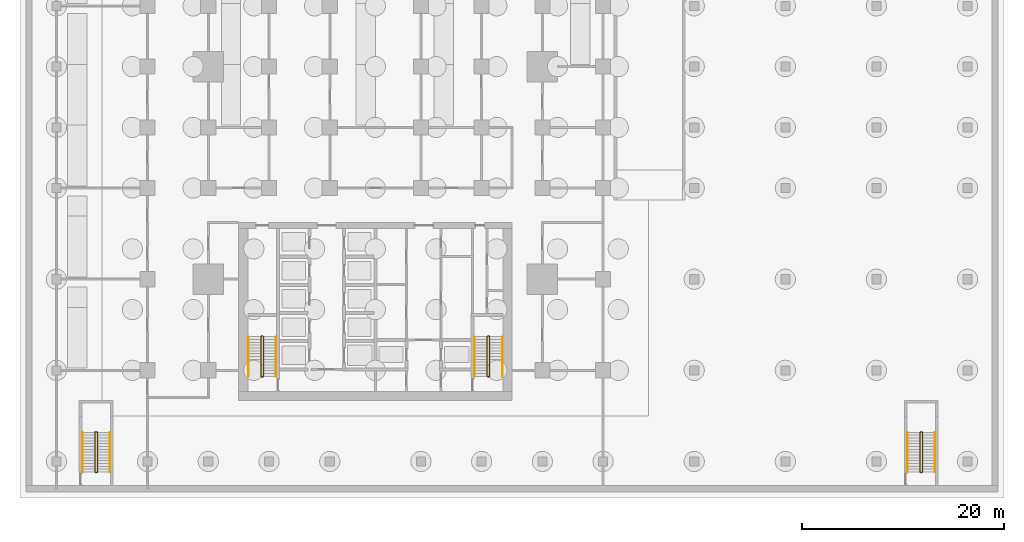
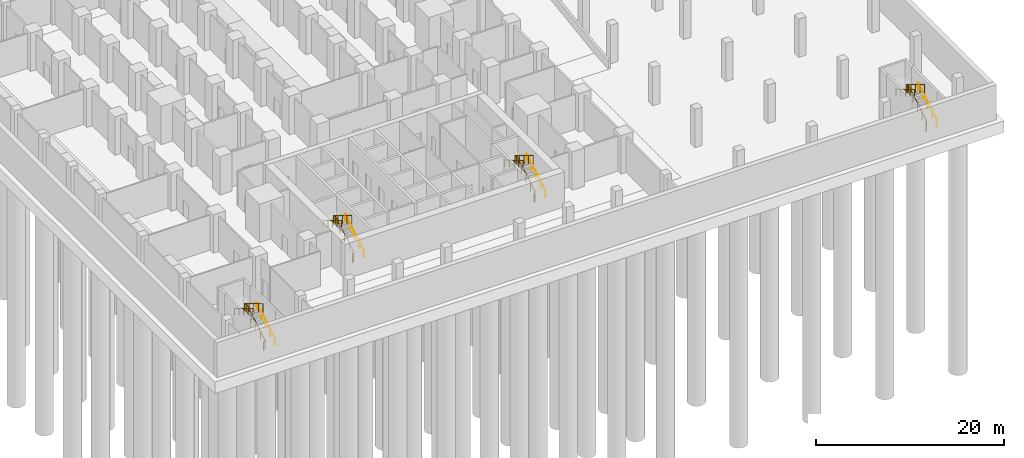
# One storey, part 11 of 12: 12 railings.
"""IFC4 building model written with IfcOpenShell, lengths in metres."""

import ifcopenshell
import ifcopenshell.guid

model = None  # the IFC model being written
_history = None  # IfcOwnerHistory: only IFC2X3 demands one
_inside = {}  # id of a spatial element -> (the spatial element, [elements in it])
_under = {}  # id of a project, library or spatial element -> (it, [spatial elements below it])
_declared = {}  # id of a project -> (the project, [libraries it declares])
_typed = {}  # id of a type object -> (the type object, [elements of that type])
_made_of = {}  # id of a material, layer set ... -> (it, [elements and type objects made of it])


def new_model(schema):
    """Start an empty IFC model of exactly this schema.

    Asked for "IFC4X3", IfcOpenShell would pick the latest addendum, in which some entities
    have other attributes; the version numbers below select the first issue.
    IFC2X3 requires an IfcOwnerHistory on every rooted entity: one is made here for all.
    """
    global model, _history
    if schema == "IFC4X3":
        model = ifcopenshell.file(schema_version=(4, 3, 0, 0))
    else:
        model = ifcopenshell.file(schema=schema)
    _inside.clear()
    _under.clear()
    _declared.clear()
    _typed.clear()
    _made_of.clear()
    _history = None
    if model.schema == "IFC2X3":
        org = make("IfcOrganization", Name="unknown")
        user = make(
            "IfcPersonAndOrganization",
            ThePerson=make("IfcPerson", FamilyName="unknown"),
            TheOrganization=org,
        )
        app = make(
            "IfcApplication",
            ApplicationDeveloper=org,
            Version="unknown",
            ApplicationFullName="unknown",
            ApplicationIdentifier="unknown",
        )
        _history = make(
            "IfcOwnerHistory",
            OwningUser=user,
            OwningApplication=app,
            ChangeAction="ADDED",
            CreationDate=0,
        )
    return model


def make(cls, **values):
    """One entity of the class cls with the attributes given. An attribute that is None is left unset."""
    return model.create_entity(
        cls, **{name: value for name, value in values.items() if value is not None}
    )


def rooted(cls, **values):
    """An entity with a GlobalId (a new one), such as an element, a storey or a relation."""
    return make(cls, GlobalId=ifcopenshell.guid.new(), OwnerHistory=_history, **values)


def si_unit(unit_type, name, prefix=None):
    """IfcSIUnit, for example si_unit("LENGTHUNIT", "METRE", prefix="MILLI")."""
    return make("IfcSIUnit", UnitType=unit_type, Prefix=prefix, Name=name)


def assignment(units):
    """IfcUnitAssignment: the units of a project."""
    return None if units is None else make("IfcUnitAssignment", Units=units)


def point(xyz):
    """IfcCartesianPoint."""
    return None if xyz is None else make("IfcCartesianPoint", Coordinates=xyz)


def direction(xyz):
    """IfcDirection."""
    return None if xyz is None else make("IfcDirection", DirectionRatios=xyz)


def frame(location, z_axis=None, x_axis=None):
    """IfcAxis2Placement3D, a coordinate frame: its origin and axes. An axis left out is left unset."""
    return make(
        "IfcAxis2Placement3D",
        Location=point(location),
        Axis=direction(z_axis),
        RefDirection=direction(x_axis),
    )


def frame_2d(location, x_axis=None):
    """IfcAxis2Placement2D, a coordinate frame in the plane: its origin and x axis."""
    return make(
        "IfcAxis2Placement2D", Location=point(location), RefDirection=direction(x_axis)
    )


def origin():
    """The frame at (0, 0, 0) with its axes left unset."""
    return frame((0.0, 0.0, 0.0))


def origin_2d():
    """The frame at (0, 0) in the plane with its x axis left unset."""
    return frame_2d((0.0, 0.0))


def place(relative_to, where):
    """IfcLocalPlacement: puts the frame where relative to a parent placement (None: the world)."""
    return make(
        "IfcLocalPlacement", PlacementRelTo=relative_to, RelativePlacement=where
    )


def context(
    kind, dimensions, precision=None, world=None, true_north=None, identifier=None
):
    """IfcGeometricRepresentationContext, for example the 3D "Model" context."""
    return make(
        "IfcGeometricRepresentationContext",
        ContextIdentifier=identifier,
        ContextType=kind,
        CoordinateSpaceDimension=dimensions,
        Precision=precision,
        WorldCoordinateSystem=world,
        TrueNorth=true_north,
    )


def subcontext(parent, identifier, kind, view, scale=None):
    """IfcGeometricRepresentationSubContext, for example "Body" below "Model"."""
    return make(
        "IfcGeometricRepresentationSubContext",
        ContextIdentifier=identifier,
        ContextType=kind,
        ParentContext=parent,
        TargetScale=scale,
        TargetView=view,
    )


def project(units=None, contexts=None):
    """IfcProject with its units and contexts."""
    return rooted(
        "IfcProject",
        Name="project",
        RepresentationContexts=contexts,
        UnitsInContext=assignment(units),
    )


def spatial(cls, under=None, at=None, **own):
    """A site, building, storey or space (cls), placed at a placement, below another one or the project."""
    s = rooted(cls, ObjectPlacement=at, **own)
    if under is not None:
        _under.setdefault(under.id(), (under, []))[1].append(s)
    return s


def profile(cls, at=None, kind="AREA", **sizes):
    """A parametric profile (cls). Its sizes go by their IFC names, for example OverallWidth=200.0."""
    return make(cls, ProfileType=kind, Position=at, **sizes)


def circle(**sizes):
    """IfcCircleProfileDef."""
    return profile("IfcCircleProfileDef", **sizes)


def extrude(swept, where, along, depth):
    """IfcExtrudedAreaSolid: the profile swept, set in the frame where, extruded along a direction by depth."""
    return make(
        "IfcExtrudedAreaSolid",
        SweptArea=swept,
        Position=where,
        ExtrudedDirection=direction(along),
        Depth=depth,
    )


def shape(context_of_items, identifier, shape_type, items):
    """IfcShapeRepresentation: the items that make up one representation, for example the "Body"."""
    return make(
        "IfcShapeRepresentation",
        ContextOfItems=context_of_items,
        RepresentationIdentifier=identifier,
        RepresentationType=shape_type,
        Items=items,
    )


def material(Name=None, Category=None):
    """IfcMaterial."""
    return make("IfcMaterial", Name=Name, Category=Category)


def made_of(thing, what):
    """Note that an element or type object is made of a material, layer set ...; save() writes the relation."""
    if what is not None:
        _made_of.setdefault(what.id(), (what, []))[1].append(thing)
    return thing


def type_object(cls, material=None, **own):
    """A type object (cls), such as IfcWallType, which elements share."""
    return made_of(rooted(cls, **own), material)


def element(
    cls,
    number,
    at=None,
    inside=None,
    cuts=None,
    type_object=None,
    material=None,
    context=None,
    identifier="Body",
    shape_type=None,
    held_by="IfcProductDefinitionShape",
    body=None,
    shapes=None,
    **own,
):
    """One element of the class cls, such as IfcWall. Its Tag is "e" and its number.

    at: its placement. inside: the storey or other place that contains it. cuts: it is an
    opening in that element (IfcRelVoidsElement). A single representation is given by context,
    identifier, shape_type and body (its items); several are given by shapes. held_by: the class
    of the entity that holds the representations. save() writes the other relations.
    """
    e = rooted(cls, Tag="e%d" % number, ObjectPlacement=at, **own)
    if body is not None:
        shapes = [shape(context, identifier, shape_type, body)]
    if shapes is not None:
        e.Representation = make(held_by, Representations=shapes)
    if inside is not None:
        _inside.setdefault(inside.id(), (inside, []))[1].append(e)
    if cuts is not None:
        rooted(
            "IfcRelVoidsElement", RelatingBuildingElement=cuts, RelatedOpeningElement=e
        )
    if type_object is not None:
        _typed.setdefault(type_object.id(), (type_object, []))[1].append(e)
    return made_of(e, material)


def aggregate(whole, parts):
    """IfcRelAggregates: a whole, such as a stair, and the parts it consists of."""
    return rooted("IfcRelAggregates", RelatingObject=whole, RelatedObjects=parts)


def save(model, path):
    """Write the relations noted so far, then the file.

    IfcRelAggregates (storeys below a building ...), IfcRelContainedInSpatialStructure (elements
    in a storey), IfcRelDefinesByType, IfcRelAssociatesMaterial and IfcRelDeclares: one each for
    every whole, place, type object, material and project.
    """
    for whole, parts in _under.values():
        aggregate(whole, parts)
    for where, things in _inside.values():
        rooted(
            "IfcRelContainedInSpatialStructure",
            RelatedElements=things,
            RelatingStructure=where,
        )
    for kind, things in _typed.values():
        rooted("IfcRelDefinesByType", RelatedObjects=things, RelatingType=kind)
    for what, things in _made_of.values():
        rooted("IfcRelAssociatesMaterial", RelatedObjects=things, RelatingMaterial=what)
    for by, libraries in _declared.values():
        rooted("IfcRelDeclares", RelatingContext=by, RelatedDefinitions=libraries)
    model.write(path)


model = new_model("IFC4")

# Units and contexts
model_context = context("Model", 3, precision=1e-05, world=origin(), true_north=direction((0.0, 1.0)))
body_context = subcontext(model_context, "Body", "Model", "MODEL_VIEW")
ifc_project = project(units=[si_unit("LENGTHUNIT", "METRE"), si_unit("AREAUNIT", "SQUARE_METRE"), si_unit("VOLUMEUNIT", "CUBIC_METRE"), si_unit("PLANEANGLEUNIT", "RADIAN"), si_unit("MASSUNIT", "GRAM", prefix="KILO")], contexts=[model_context])

# Site, building, storey
site_placement = place(None, origin())
site = spatial("IfcSite", under=ifc_project, at=site_placement, CompositionType="ELEMENT")
building_placement = place(site_placement, origin())
building = spatial("IfcBuilding", under=site, at=building_placement, Name="Finial Court Residences", CompositionType="ELEMENT")
storey_placement = place(building_placement, frame((0.0, 0.0, -5.0)))
storey = spatial("IfcBuildingStorey", under=building, at=storey_placement, Name="B1", CompositionType="ELEMENT", Elevation=-5.0)

# Railings
ifc_material = material(Name="Stainless steel railing", Category="steel")
railing_type_1 = type_object("IfcRailingType", Name="Stair guard 1100", PredefinedType="GUARDRAIL", material=ifc_material)
railing_1_placement = place(storey_placement, frame((-11.10009765625, -23.14990234375, 0.0)))
element("IfcRailing", 1, at=railing_1_placement, inside=storey, type_object=railing_type_1, Name="B1 ST-1 stair guard 1", PredefinedType="GUARDRAIL", context=body_context, shape_type="SweptSolid", body=[
    extrude(circle(Radius=0.02392578125, at=origin_2d()), frame((0.0, 0.0, 1.076171875), z_axis=(-1.0, 0.0, 0.0), x_axis=(0.0, -1.0, 0.0)), (0.0, 0.0, 1.0), 0.14990234375),
    extrude(circle(Radius=0.02392578125, at=origin_2d()), frame((-0.14990234375, 0.0, 1.076171875), z_axis=(0.754313153044, 0.1878875253, 0.629054802844), x_axis=(-0.241699205484, 0.970351222016, 0.0)), (0.0, 0.0, 1.0), 0.26513671875),
    extrude(circle(Radius=0.02392578125, at=origin_2d()), frame((0.050048828125, 0.0498046875, 1.24267578125), z_axis=(0.0, 0.859310244771, 0.511454693235), x_axis=(-1.0, 0.0, 0.0)), (0.0, 0.0, 1.0), 4.56201171875),
    extrude(circle(Radius=0.02392578125, at=origin_2d()), frame((0.050048828125, 3.969970703125, 3.576171875), z_axis=(-0.707106781187, 0.707106781187, 0.0), x_axis=(-0.707106781187, -0.707106781187, 0.0)), (0.0, 0.0, 1.0), 0.07080078125),
    extrude(circle(Radius=0.02392578125, at=origin_2d()), frame((0.0, 4.02001953125, 3.576171875), z_axis=(-1.0, 0.0, 0.0), x_axis=(0.0, -1.0, 0.0)), (0.0, 0.0, 1.0), 0.14990234375),
    extrude(circle(Radius=0.02392578125, at=origin_2d()), frame((-0.14990234375, 4.02001953125, 3.576171875), z_axis=(-0.27628659633, -0.27628659633, 0.920506074601), x_axis=(0.707106781187, -0.707106781187, 0.0)), (0.0, 0.0, 1.0), 0.18115234375),
    extrude(circle(Radius=0.02392578125, at=origin_2d()), frame((-0.199951171875, 3.969970703125, 3.74267578125), z_axis=(0.0, -0.859310244771, 0.511454693235), x_axis=(1.0, 0.0, 0.0)), (0.0, 0.0, 1.0), 4.56201171875),
    extrude(circle(Radius=0.02099609375, at=origin_2d()), origin(), (0.0, 0.0, 1.0), 1.052001953125),
    extrude(circle(Radius=0.02099609375, at=origin_2d()), frame((-0.14990234375, 0.0, 0.0)), (0.0, 0.0, 1.0), 1.052001953125),
    extrude(circle(Radius=0.02099609375, at=origin_2d()), frame((0.050048828125, 0.0498046875, 0.166748046875)), (0.0, 0.0, 1.0), 1.052001953125),
    extrude(circle(Radius=0.02099609375, at=origin_2d()), frame((0.050048828125, 1.02978515625, 0.75)), (0.0, 0.0, 1.0), 1.052001953125),
    extrude(circle(Radius=0.02099609375, at=origin_2d()), frame((0.050048828125, 2.009765625, 1.33349609375)), (0.0, 0.0, 1.0), 1.052001953125),
    extrude(circle(Radius=0.02099609375, at=origin_2d()), frame((0.050048828125, 2.989990234375, 1.916748046875)), (0.0, 0.0, 1.0), 1.052001953125),
    extrude(circle(Radius=0.02099609375, at=origin_2d()), frame((0.050048828125, 3.969970703125, 2.5)), (0.0, 0.0, 1.0), 1.052001953125),
    extrude(circle(Radius=0.02099609375, at=origin_2d()), frame((0.0, 4.02001953125, 2.5)), (0.0, 0.0, 1.0), 1.052001953125),
    extrude(circle(Radius=0.02099609375, at=origin_2d()), frame((-0.14990234375, 4.02001953125, 2.5)), (0.0, 0.0, 1.0), 1.052001953125),
    extrude(circle(Radius=0.02099609375, at=origin_2d()), frame((-0.199951171875, 3.969970703125, 2.666748046875)), (0.0, 0.0, 1.0), 1.052001953125),
    extrude(circle(Radius=0.02099609375, at=origin_2d()), frame((-0.199951171875, 2.989990234375, 3.25)), (0.0, 0.0, 1.0), 1.052001953125),
    extrude(circle(Radius=0.02099609375, at=origin_2d()), frame((-0.199951171875, 2.009765625, 3.83349609375)), (0.0, 0.0, 1.0), 1.052001953125),
    extrude(circle(Radius=0.02099609375, at=origin_2d()), frame((-0.199951171875, 1.02978515625, 4.416748046875)), (0.0, 0.0, 1.0), 1.052001953125),
    extrude(circle(Radius=0.02099609375, at=origin_2d()), frame((-0.199951171875, 0.0498046875, 5.0)), (0.0, 0.0, 1.0), 1.052001953125),
])
railing_2_placement = place(storey_placement, frame((11.25, -23.14990234375, 0.0)))
element("IfcRailing", 2, at=railing_2_placement, inside=storey, type_object=railing_type_1, Name="B1 ST-2 stair guard 1", PredefinedType="GUARDRAIL", context=body_context, shape_type="SweptSolid", body=[
    extrude(circle(Radius=0.02392578125, at=origin_2d()), frame((0.0, 0.0, 1.076171875), z_axis=(-1.0, 0.0, 0.0), x_axis=(0.0, -1.0, 0.0)), (0.0, 0.0, 1.0), 0.14990234375),
    extrude(circle(Radius=0.02392578125, at=origin_2d()), frame((-0.14990234375, 0.0, 1.076171875), z_axis=(0.754313153044, 0.1878875253, 0.629054802844), x_axis=(-0.241699205484, 0.970351222016, 0.0)), (0.0, 0.0, 1.0), 0.26513671875),
    extrude(circle(Radius=0.02392578125, at=origin_2d()), frame((0.050048828125, 0.0498046875, 1.24267578125), z_axis=(0.0, 0.859310244771, 0.511454693235), x_axis=(-1.0, 0.0, 0.0)), (0.0, 0.0, 1.0), 4.56201171875),
    extrude(circle(Radius=0.02392578125, at=origin_2d()), frame((0.050048828125, 3.969970703125, 3.576171875), z_axis=(-0.707106781187, 0.707106781187, 0.0), x_axis=(-0.707106781187, -0.707106781187, 0.0)), (0.0, 0.0, 1.0), 0.07080078125),
    extrude(circle(Radius=0.02392578125, at=origin_2d()), frame((0.0, 4.02001953125, 3.576171875), z_axis=(-1.0, 0.0, 0.0), x_axis=(0.0, -1.0, 0.0)), (0.0, 0.0, 1.0), 0.14990234375),
    extrude(circle(Radius=0.02392578125, at=origin_2d()), frame((-0.14990234375, 4.02001953125, 3.576171875), z_axis=(-0.27628659633, -0.27628659633, 0.920506074601), x_axis=(0.707106781187, -0.707106781187, 0.0)), (0.0, 0.0, 1.0), 0.18115234375),
    extrude(circle(Radius=0.02392578125, at=origin_2d()), frame((-0.199951171875, 3.969970703125, 3.74267578125), z_axis=(0.0, -0.859310244771, 0.511454693235), x_axis=(1.0, 0.0, 0.0)), (0.0, 0.0, 1.0), 4.56201171875),
    extrude(circle(Radius=0.02099609375, at=origin_2d()), origin(), (0.0, 0.0, 1.0), 1.052001953125),
    extrude(circle(Radius=0.02099609375, at=origin_2d()), frame((-0.14990234375, 0.0, 0.0)), (0.0, 0.0, 1.0), 1.052001953125),
    extrude(circle(Radius=0.02099609375, at=origin_2d()), frame((0.050048828125, 0.0498046875, 0.166748046875)), (0.0, 0.0, 1.0), 1.052001953125),
    extrude(circle(Radius=0.02099609375, at=origin_2d()), frame((0.050048828125, 1.02978515625, 0.75)), (0.0, 0.0, 1.0), 1.052001953125),
    extrude(circle(Radius=0.02099609375, at=origin_2d()), frame((0.050048828125, 2.009765625, 1.33349609375)), (0.0, 0.0, 1.0), 1.052001953125),
    extrude(circle(Radius=0.02099609375, at=origin_2d()), frame((0.050048828125, 2.989990234375, 1.916748046875)), (0.0, 0.0, 1.0), 1.052001953125),
    extrude(circle(Radius=0.02099609375, at=origin_2d()), frame((0.050048828125, 3.969970703125, 2.5)), (0.0, 0.0, 1.0), 1.052001953125),
    extrude(circle(Radius=0.02099609375, at=origin_2d()), frame((0.0, 4.02001953125, 2.5)), (0.0, 0.0, 1.0), 1.052001953125),
    extrude(circle(Radius=0.02099609375, at=origin_2d()), frame((-0.14990234375, 4.02001953125, 2.5)), (0.0, 0.0, 1.0), 1.052001953125),
    extrude(circle(Radius=0.02099609375, at=origin_2d()), frame((-0.199951171875, 3.969970703125, 2.666748046875)), (0.0, 0.0, 1.0), 1.052001953125),
    extrude(circle(Radius=0.02099609375, at=origin_2d()), frame((-0.199951171875, 2.989990234375, 3.25)), (0.0, 0.0, 1.0), 1.052001953125),
    extrude(circle(Radius=0.02099609375, at=origin_2d()), frame((-0.199951171875, 2.009765625, 3.83349609375)), (0.0, 0.0, 1.0), 1.052001953125),
    extrude(circle(Radius=0.02099609375, at=origin_2d()), frame((-0.199951171875, 1.02978515625, 4.416748046875)), (0.0, 0.0, 1.0), 1.052001953125),
    extrude(circle(Radius=0.02099609375, at=origin_2d()), frame((-0.199951171875, 0.0498046875, 5.0)), (0.0, 0.0, 1.0), 1.052001953125),
])
railing_3_placement = place(storey_placement, frame((54.0, -32.60009765625, 0.0)))
element("IfcRailing", 3, at=railing_3_placement, inside=storey, type_object=railing_type_1, Name="B1 ST-3 stair guard 1", PredefinedType="GUARDRAIL", context=body_context, shape_type="SweptSolid", body=[
    extrude(circle(Radius=0.02392578125, at=origin_2d()), frame((0.0, 0.0, 1.076171875), z_axis=(-1.0, 0.0, 0.0), x_axis=(0.0, -1.0, 0.0)), (0.0, 0.0, 1.0), 0.14990234375),
    extrude(circle(Radius=0.02392578125, at=origin_2d()), frame((-0.14990234375, 0.0, 1.076171875), z_axis=(0.754182335027, 0.188775798145, 0.628945707965), x_axis=(-0.242814311512, 0.970072785993, 0.0)), (0.0, 0.0, 1.0), 0.26513671875),
    extrude(circle(Radius=0.02392578125, at=origin_2d()), frame((0.050048828125, 0.050048828125, 1.24267578125), z_axis=(0.0, 0.859310244771, 0.511454693235), x_axis=(-1.0, 0.0, 0.0)), (0.0, 0.0, 1.0), 4.56201171875),
    extrude(circle(Radius=0.02392578125, at=origin_2d()), frame((0.050048828125, 3.97021484375, 3.576171875), z_axis=(-0.708833529934, 0.705375805398, 0.0), x_axis=(-0.705375805398, -0.708833529934, 0.0)), (0.0, 0.0, 1.0), 0.070556640625),
    extrude(circle(Radius=0.02392578125, at=origin_2d()), frame((0.0, 4.02001953125, 3.576171875), z_axis=(-1.0, 0.0, 0.0), x_axis=(0.0, -1.0, 0.0)), (0.0, 0.0, 1.0), 0.14990234375),
    extrude(circle(Radius=0.02392578125, at=origin_2d()), frame((-0.14990234375, 4.02001953125, 3.576171875), z_axis=(-0.276389281352, -0.275041040955, 0.920848191041), x_axis=(0.705375805398, -0.708833529934, 0.0)), (0.0, 0.0, 1.0), 0.18115234375),
    extrude(circle(Radius=0.02392578125, at=origin_2d()), frame((-0.199951171875, 3.97021484375, 3.74267578125), z_axis=(0.0, -0.859310244771, 0.511454693235), x_axis=(1.0, 0.0, 0.0)), (0.0, 0.0, 1.0), 4.56201171875),
    extrude(circle(Radius=0.02099609375, at=origin_2d()), origin(), (0.0, 0.0, 1.0), 1.052001953125),
    extrude(circle(Radius=0.02099609375, at=origin_2d()), frame((-0.14990234375, 0.0, 0.0)), (0.0, 0.0, 1.0), 1.052001953125),
    extrude(circle(Radius=0.02099609375, at=origin_2d()), frame((0.050048828125, 0.050048828125, 0.166748046875)), (0.0, 0.0, 1.0), 1.052001953125),
    extrude(circle(Radius=0.02099609375, at=origin_2d()), frame((0.050048828125, 1.030029296875, 0.75)), (0.0, 0.0, 1.0), 1.052001953125),
    extrude(circle(Radius=0.02099609375, at=origin_2d()), frame((0.050048828125, 2.01025390625, 1.33349609375)), (0.0, 0.0, 1.0), 1.052001953125),
    extrude(circle(Radius=0.02099609375, at=origin_2d()), frame((0.050048828125, 2.990234375, 1.916748046875)), (0.0, 0.0, 1.0), 1.052001953125),
    extrude(circle(Radius=0.02099609375, at=origin_2d()), frame((0.050048828125, 3.97021484375, 2.5)), (0.0, 0.0, 1.0), 1.052001953125),
    extrude(circle(Radius=0.02099609375, at=origin_2d()), frame((0.0, 4.02001953125, 2.5)), (0.0, 0.0, 1.0), 1.052001953125),
    extrude(circle(Radius=0.02099609375, at=origin_2d()), frame((-0.14990234375, 4.02001953125, 2.5)), (0.0, 0.0, 1.0), 1.052001953125),
    extrude(circle(Radius=0.02099609375, at=origin_2d()), frame((-0.199951171875, 3.97021484375, 2.666748046875)), (0.0, 0.0, 1.0), 1.052001953125),
    extrude(circle(Radius=0.02099609375, at=origin_2d()), frame((-0.199951171875, 2.990234375, 3.25)), (0.0, 0.0, 1.0), 1.052001953125),
    extrude(circle(Radius=0.02099609375, at=origin_2d()), frame((-0.199951171875, 2.01025390625, 3.83349609375)), (0.0, 0.0, 1.0), 1.052001953125),
    extrude(circle(Radius=0.02099609375, at=origin_2d()), frame((-0.199951171875, 1.030029296875, 4.416748046875)), (0.0, 0.0, 1.0), 1.052001953125),
    extrude(circle(Radius=0.02099609375, at=origin_2d()), frame((-0.199951171875, 0.050048828125, 5.0)), (0.0, 0.0, 1.0), 1.052001953125),
])
railing_4_placement = place(storey_placement, frame((-27.5, -32.60009765625, 0.0)))
element("IfcRailing", 4, at=railing_4_placement, inside=storey, type_object=railing_type_1, Name="B1 ST-4 stair guard 1", PredefinedType="GUARDRAIL", context=body_context, shape_type="SweptSolid", body=[
    extrude(circle(Radius=0.02392578125, at=origin_2d()), frame((0.0, 0.0, 1.076171875), z_axis=(-1.0, 0.0, 0.0), x_axis=(0.0, -1.0, 0.0)), (0.0, 0.0, 1.0), 0.14990234375),
    extrude(circle(Radius=0.02392578125, at=origin_2d()), frame((-0.14990234375, 0.0, 1.076171875), z_axis=(0.754182335027, 0.188775798145, 0.628945707965), x_axis=(-0.242814311512, 0.970072785993, 0.0)), (0.0, 0.0, 1.0), 0.26513671875),
    extrude(circle(Radius=0.02392578125, at=origin_2d()), frame((0.050048828125, 0.050048828125, 1.24267578125), z_axis=(0.0, 0.859310244771, 0.511454693235), x_axis=(-1.0, 0.0, 0.0)), (0.0, 0.0, 1.0), 4.56201171875),
    extrude(circle(Radius=0.02392578125, at=origin_2d()), frame((0.050048828125, 3.97021484375, 3.576171875), z_axis=(-0.708833529934, 0.705375805398, 0.0), x_axis=(-0.705375805398, -0.708833529934, 0.0)), (0.0, 0.0, 1.0), 0.070556640625),
    extrude(circle(Radius=0.02392578125, at=origin_2d()), frame((0.0, 4.02001953125, 3.576171875), z_axis=(-1.0, 0.0, 0.0), x_axis=(0.0, -1.0, 0.0)), (0.0, 0.0, 1.0), 0.14990234375),
    extrude(circle(Radius=0.02392578125, at=origin_2d()), frame((-0.14990234375, 4.02001953125, 3.576171875), z_axis=(-0.276389281352, -0.275041040955, 0.920848191041), x_axis=(0.705375805398, -0.708833529934, 0.0)), (0.0, 0.0, 1.0), 0.18115234375),
    extrude(circle(Radius=0.02392578125, at=origin_2d()), frame((-0.199951171875, 3.97021484375, 3.74267578125), z_axis=(0.0, -0.859310244771, 0.511454693235), x_axis=(1.0, 0.0, 0.0)), (0.0, 0.0, 1.0), 4.56201171875),
    extrude(circle(Radius=0.02099609375, at=origin_2d()), origin(), (0.0, 0.0, 1.0), 1.052001953125),
    extrude(circle(Radius=0.02099609375, at=origin_2d()), frame((-0.14990234375, 0.0, 0.0)), (0.0, 0.0, 1.0), 1.052001953125),
    extrude(circle(Radius=0.02099609375, at=origin_2d()), frame((0.050048828125, 0.050048828125, 0.166748046875)), (0.0, 0.0, 1.0), 1.052001953125),
    extrude(circle(Radius=0.02099609375, at=origin_2d()), frame((0.050048828125, 1.030029296875, 0.75)), (0.0, 0.0, 1.0), 1.052001953125),
    extrude(circle(Radius=0.02099609375, at=origin_2d()), frame((0.050048828125, 2.01025390625, 1.33349609375)), (0.0, 0.0, 1.0), 1.052001953125),
    extrude(circle(Radius=0.02099609375, at=origin_2d()), frame((0.050048828125, 2.990234375, 1.916748046875)), (0.0, 0.0, 1.0), 1.052001953125),
    extrude(circle(Radius=0.02099609375, at=origin_2d()), frame((0.050048828125, 3.97021484375, 2.5)), (0.0, 0.0, 1.0), 1.052001953125),
    extrude(circle(Radius=0.02099609375, at=origin_2d()), frame((0.0, 4.02001953125, 2.5)), (0.0, 0.0, 1.0), 1.052001953125),
    extrude(circle(Radius=0.02099609375, at=origin_2d()), frame((-0.14990234375, 4.02001953125, 2.5)), (0.0, 0.0, 1.0), 1.052001953125),
    extrude(circle(Radius=0.02099609375, at=origin_2d()), frame((-0.199951171875, 3.97021484375, 2.666748046875)), (0.0, 0.0, 1.0), 1.052001953125),
    extrude(circle(Radius=0.02099609375, at=origin_2d()), frame((-0.199951171875, 2.990234375, 3.25)), (0.0, 0.0, 1.0), 1.052001953125),
    extrude(circle(Radius=0.02099609375, at=origin_2d()), frame((-0.199951171875, 2.01025390625, 3.83349609375)), (0.0, 0.0, 1.0), 1.052001953125),
    extrude(circle(Radius=0.02099609375, at=origin_2d()), frame((-0.199951171875, 1.030029296875, 4.416748046875)), (0.0, 0.0, 1.0), 1.052001953125),
    extrude(circle(Radius=0.02099609375, at=origin_2d()), frame((-0.199951171875, 0.050048828125, 5.0)), (0.0, 0.0, 1.0), 1.052001953125),
])
railing_type_2 = type_object("IfcRailingType", Name="Stair handrail 900", PredefinedType="HANDRAIL", material=ifc_material)
railing_5_placement = place(storey_placement, frame((-9.800048828125, -23.10009765625, 0.166748046875)))
element("IfcRailing", 5, at=railing_5_placement, inside=storey, type_object=railing_type_2, Name="B1 ST-1 stair handrail 1", PredefinedType="HANDRAIL", context=body_context, shape_type="SweptSolid", body=[
    extrude(circle(Radius=0.02392578125, at=origin_2d()), frame((0.0, 0.0, 0.8759765625), z_axis=(0.0, 0.859310244771, 0.511454693235), x_axis=(-1.0, 0.0, 0.0)), (0.0, 0.0, 1.0), 4.56201171875),
    extrude(circle(Radius=0.02099609375, at=origin_2d()), origin(), (0.0, 0.0, 1.0), 0.851806640625),
    extrude(circle(Radius=0.02099609375, at=origin_2d()), frame((0.0, 0.97998046875, 0.583251953125)), (0.0, 0.0, 1.0), 0.851806640625),
    extrude(circle(Radius=0.02099609375, at=origin_2d()), frame((0.0, 1.9599609375, 1.16650390625)), (0.0, 0.0, 1.0), 0.851806640625),
    extrude(circle(Radius=0.02099609375, at=origin_2d()), frame((0.0, 2.940185546875, 1.75)), (0.0, 0.0, 1.0), 0.851806640625),
    extrude(circle(Radius=0.02099609375, at=origin_2d()), frame((0.0, 3.920166015625, 2.333251953125)), (0.0, 0.0, 1.0), 0.851806640625),
])
railing_6_placement = place(storey_placement, frame((-12.550048828125, -19.179931640625, 2.666748046875)))
element("IfcRailing", 6, at=railing_6_placement, inside=storey, type_object=railing_type_2, Name="B1 ST-1 stair handrail 2", PredefinedType="HANDRAIL", context=body_context, shape_type="SweptSolid", body=[
    extrude(circle(Radius=0.02392578125, at=origin_2d()), frame((0.0, 0.0, 0.8759765625), z_axis=(0.0, -0.859310244771, 0.511454693235), x_axis=(1.0, 0.0, 0.0)), (0.0, 0.0, 1.0), 4.56201171875),
    extrude(circle(Radius=0.02099609375, at=origin_2d()), origin(), (0.0, 0.0, 1.0), 0.851806640625),
    extrude(circle(Radius=0.02099609375, at=origin_2d()), frame((0.0, -0.97998046875, 0.583251953125)), (0.0, 0.0, 1.0), 0.851806640625),
    extrude(circle(Radius=0.02099609375, at=origin_2d()), frame((0.0, -1.9599609375, 1.16650390625)), (0.0, 0.0, 1.0), 0.851806640625),
    extrude(circle(Radius=0.02099609375, at=origin_2d()), frame((0.0, -2.940185546875, 1.75)), (0.0, 0.0, 1.0), 0.851806640625),
    extrude(circle(Radius=0.02099609375, at=origin_2d()), frame((0.0, -3.920166015625, 2.333251953125)), (0.0, 0.0, 1.0), 0.851806640625),
])
railing_7_placement = place(storey_placement, frame((12.550048828125, -23.10009765625, 0.166748046875)))
element("IfcRailing", 7, at=railing_7_placement, inside=storey, type_object=railing_type_2, Name="B1 ST-2 stair handrail 1", PredefinedType="HANDRAIL", context=body_context, shape_type="SweptSolid", body=[
    extrude(circle(Radius=0.02392578125, at=origin_2d()), frame((0.0, 0.0, 0.8759765625), z_axis=(0.0, 0.859310244771, 0.511454693235), x_axis=(-1.0, 0.0, 0.0)), (0.0, 0.0, 1.0), 4.56201171875),
    extrude(circle(Radius=0.02099609375, at=origin_2d()), origin(), (0.0, 0.0, 1.0), 0.851806640625),
    extrude(circle(Radius=0.02099609375, at=origin_2d()), frame((0.0, 0.97998046875, 0.583251953125)), (0.0, 0.0, 1.0), 0.851806640625),
    extrude(circle(Radius=0.02099609375, at=origin_2d()), frame((0.0, 1.9599609375, 1.16650390625)), (0.0, 0.0, 1.0), 0.851806640625),
    extrude(circle(Radius=0.02099609375, at=origin_2d()), frame((0.0, 2.940185546875, 1.75)), (0.0, 0.0, 1.0), 0.851806640625),
    extrude(circle(Radius=0.02099609375, at=origin_2d()), frame((0.0, 3.920166015625, 2.333251953125)), (0.0, 0.0, 1.0), 0.851806640625),
])
railing_8_placement = place(storey_placement, frame((9.800048828125, -19.179931640625, 2.666748046875)))
element("IfcRailing", 8, at=railing_8_placement, inside=storey, type_object=railing_type_2, Name="B1 ST-2 stair handrail 2", PredefinedType="HANDRAIL", context=body_context, shape_type="SweptSolid", body=[
    extrude(circle(Radius=0.02392578125, at=origin_2d()), frame((0.0, 0.0, 0.8759765625), z_axis=(0.0, -0.859310244771, 0.511454693235), x_axis=(1.0, 0.0, 0.0)), (0.0, 0.0, 1.0), 4.56201171875),
    extrude(circle(Radius=0.02099609375, at=origin_2d()), origin(), (0.0, 0.0, 1.0), 0.851806640625),
    extrude(circle(Radius=0.02099609375, at=origin_2d()), frame((0.0, -0.97998046875, 0.583251953125)), (0.0, 0.0, 1.0), 0.851806640625),
    extrude(circle(Radius=0.02099609375, at=origin_2d()), frame((0.0, -1.9599609375, 1.16650390625)), (0.0, 0.0, 1.0), 0.851806640625),
    extrude(circle(Radius=0.02099609375, at=origin_2d()), frame((0.0, -2.940185546875, 1.75)), (0.0, 0.0, 1.0), 0.851806640625),
    extrude(circle(Radius=0.02099609375, at=origin_2d()), frame((0.0, -3.920166015625, 2.333251953125)), (0.0, 0.0, 1.0), 0.851806640625),
])
railing_9_placement = place(storey_placement, frame((55.300048828125, -32.550048828125, 0.166748046875)))
element("IfcRailing", 9, at=railing_9_placement, inside=storey, type_object=railing_type_2, Name="B1 ST-3 stair handrail 1", PredefinedType="HANDRAIL", context=body_context, shape_type="SweptSolid", body=[
    extrude(circle(Radius=0.02392578125, at=origin_2d()), frame((0.0, 0.0, 0.8759765625), z_axis=(0.0, 0.859310244771, 0.511454693235), x_axis=(-1.0, 0.0, 0.0)), (0.0, 0.0, 1.0), 4.56201171875),
    extrude(circle(Radius=0.02099609375, at=origin_2d()), origin(), (0.0, 0.0, 1.0), 0.851806640625),
    extrude(circle(Radius=0.02099609375, at=origin_2d()), frame((0.0, 0.97998046875, 0.583251953125)), (0.0, 0.0, 1.0), 0.851806640625),
    extrude(circle(Radius=0.02099609375, at=origin_2d()), frame((0.0, 1.9599609375, 1.16650390625)), (0.0, 0.0, 1.0), 0.851806640625),
    extrude(circle(Radius=0.02099609375, at=origin_2d()), frame((0.0, 2.940185546875, 1.75)), (0.0, 0.0, 1.0), 0.851806640625),
    extrude(circle(Radius=0.02099609375, at=origin_2d()), frame((0.0, 3.920166015625, 2.333251953125)), (0.0, 0.0, 1.0), 0.851806640625),
])
railing_10_placement = place(storey_placement, frame((52.550048828125, -28.6298828125, 2.666748046875)))
element("IfcRailing", 10, at=railing_10_placement, inside=storey, type_object=railing_type_2, Name="B1 ST-3 stair handrail 2", PredefinedType="HANDRAIL", context=body_context, shape_type="SweptSolid", body=[
    extrude(circle(Radius=0.02392578125, at=origin_2d()), frame((0.0, 0.0, 0.8759765625), z_axis=(0.0, -0.859310244771, 0.511454693235), x_axis=(1.0, 0.0, 0.0)), (0.0, 0.0, 1.0), 4.56201171875),
    extrude(circle(Radius=0.02099609375, at=origin_2d()), origin(), (0.0, 0.0, 1.0), 0.851806640625),
    extrude(circle(Radius=0.02099609375, at=origin_2d()), frame((0.0, -0.97998046875, 0.583251953125)), (0.0, 0.0, 1.0), 0.851806640625),
    extrude(circle(Radius=0.02099609375, at=origin_2d()), frame((0.0, -1.9599609375, 1.16650390625)), (0.0, 0.0, 1.0), 0.851806640625),
    extrude(circle(Radius=0.02099609375, at=origin_2d()), frame((0.0, -2.940185546875, 1.75)), (0.0, 0.0, 1.0), 0.851806640625),
    extrude(circle(Radius=0.02099609375, at=origin_2d()), frame((0.0, -3.920166015625, 2.333251953125)), (0.0, 0.0, 1.0), 0.851806640625),
])
railing_11_placement = place(storey_placement, frame((-26.199951171875, -32.550048828125, 0.166748046875)))
element("IfcRailing", 11, at=railing_11_placement, inside=storey, type_object=railing_type_2, Name="B1 ST-4 stair handrail 1", PredefinedType="HANDRAIL", context=body_context, shape_type="SweptSolid", body=[
    extrude(circle(Radius=0.02392578125, at=origin_2d()), frame((0.0, 0.0, 0.8759765625), z_axis=(0.0, 0.859310244771, 0.511454693235), x_axis=(-1.0, 0.0, 0.0)), (0.0, 0.0, 1.0), 4.56201171875),
    extrude(circle(Radius=0.02099609375, at=origin_2d()), origin(), (0.0, 0.0, 1.0), 0.851806640625),
    extrude(circle(Radius=0.02099609375, at=origin_2d()), frame((0.0, 0.97998046875, 0.583251953125)), (0.0, 0.0, 1.0), 0.851806640625),
    extrude(circle(Radius=0.02099609375, at=origin_2d()), frame((0.0, 1.9599609375, 1.16650390625)), (0.0, 0.0, 1.0), 0.851806640625),
    extrude(circle(Radius=0.02099609375, at=origin_2d()), frame((0.0, 2.940185546875, 1.75)), (0.0, 0.0, 1.0), 0.851806640625),
    extrude(circle(Radius=0.02099609375, at=origin_2d()), frame((0.0, 3.920166015625, 2.333251953125)), (0.0, 0.0, 1.0), 0.851806640625),
])
railing_12_placement = place(storey_placement, frame((-28.949951171875, -28.6298828125, 2.666748046875)))
element("IfcRailing", 12, at=railing_12_placement, inside=storey, type_object=railing_type_2, Name="B1 ST-4 stair handrail 2", PredefinedType="HANDRAIL", context=body_context, shape_type="SweptSolid", body=[
    extrude(circle(Radius=0.02392578125, at=origin_2d()), frame((0.0, 0.0, 0.8759765625), z_axis=(0.0, -0.859310244771, 0.511454693235), x_axis=(1.0, 0.0, 0.0)), (0.0, 0.0, 1.0), 4.56201171875),
    extrude(circle(Radius=0.02099609375, at=origin_2d()), origin(), (0.0, 0.0, 1.0), 0.851806640625),
    extrude(circle(Radius=0.02099609375, at=origin_2d()), frame((0.0, -0.97998046875, 0.583251953125)), (0.0, 0.0, 1.0), 0.851806640625),
    extrude(circle(Radius=0.02099609375, at=origin_2d()), frame((0.0, -1.9599609375, 1.16650390625)), (0.0, 0.0, 1.0), 0.851806640625),
    extrude(circle(Radius=0.02099609375, at=origin_2d()), frame((0.0, -2.940185546875, 1.75)), (0.0, 0.0, 1.0), 0.851806640625),
    extrude(circle(Radius=0.02099609375, at=origin_2d()), frame((0.0, -3.920166015625, 2.333251953125)), (0.0, 0.0, 1.0), 0.851806640625),
])

save(model, "model.ifc")
